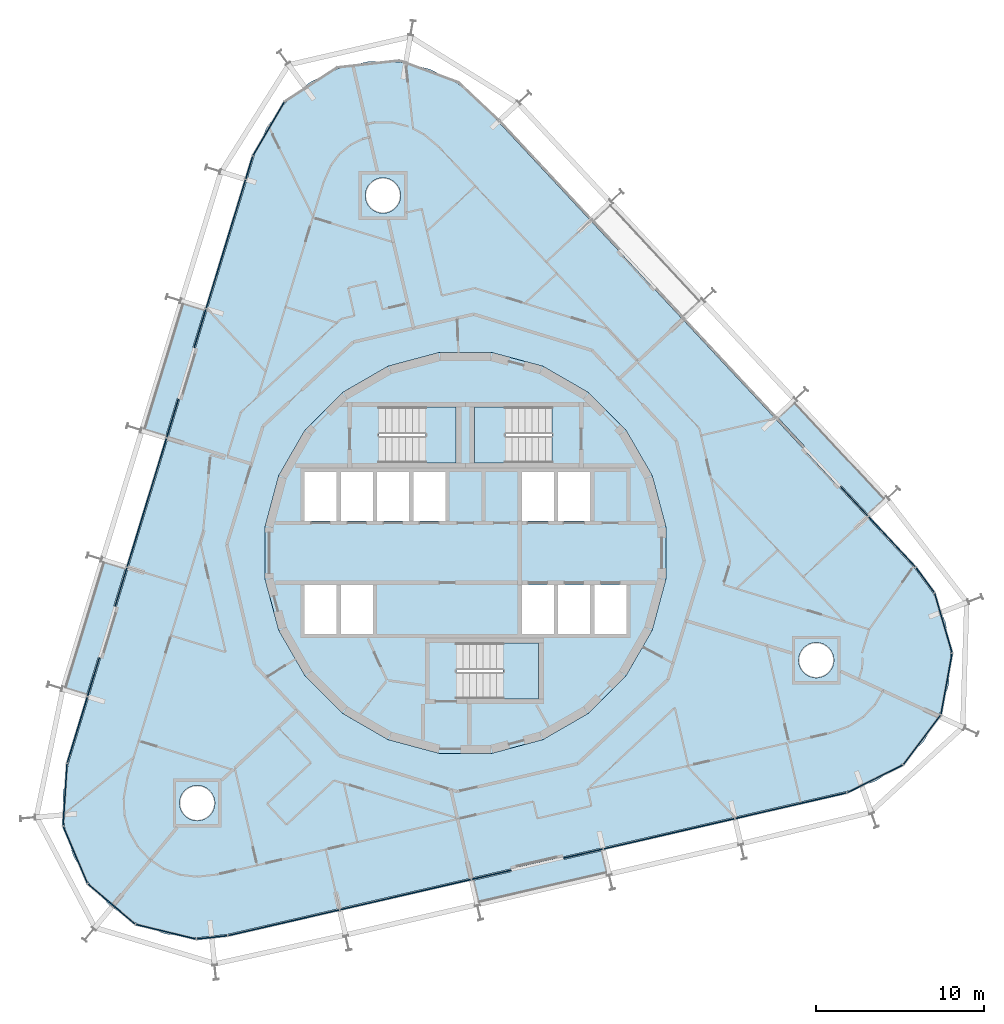
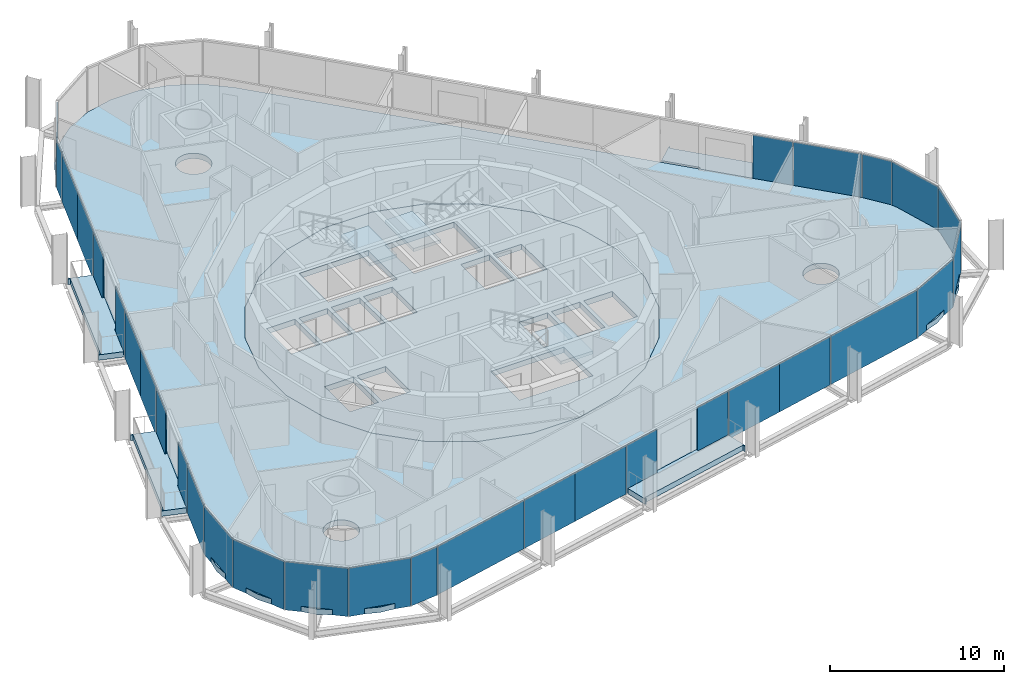
# One storey, part 10 of 18: 31 plates, 9 slabs, 9 elements without a shape of their own.
"""IFC4 building model written with IfcOpenShell, lengths in metres."""

from ifc_helpers import new_model, si_unit, direction, frame, origin, origin_2d, place, context, subcontext, project, spatial, polyline, rectangle, outline, extrude, material, layer, layer_set, type_object, element, aggregate, save


model = new_model("IFC4")

# Units and contexts
model_context = context("Model", 3, precision=1e-05, world=origin(), true_north=direction((0.0, 1.0)))
body_context = subcontext(model_context, "Body", "Model", "MODEL_VIEW")
ifc_project = project(units=[si_unit("LENGTHUNIT", "METRE"), si_unit("AREAUNIT", "SQUARE_METRE"), si_unit("VOLUMEUNIT", "CUBIC_METRE"), si_unit("PLANEANGLEUNIT", "RADIAN"), si_unit("MASSUNIT", "GRAM", prefix="KILO")], contexts=[model_context])

# Site, building, storey
site_placement = place(None, origin())
site = spatial("IfcSite", under=ifc_project, at=site_placement, CompositionType="ELEMENT")
building_placement = place(site_placement, origin())
building = spatial("IfcBuilding", under=site, at=building_placement, Name="Spindle Arch Residences", CompositionType="ELEMENT")
storey_placement = place(building_placement, frame((0.0, 0.0, 137.89990234375)))
storey = spatial("IfcBuildingStorey", under=building, at=storey_placement, Name="L34", CompositionType="ELEMENT", Elevation=137.89990234375)

# Slabs
ifc_material_1 = material(Name="Concrete C40/50", Category="concrete")
ifc_layer_1 = layer(ifc_material_1, 0.3798828125)
ifc_layer_set_1 = layer_set([ifc_layer_1], Name="Balcony slab 380")
slab_type_1 = type_object("IfcSlabType", Name="Balcony slab 380", PredefinedType="FLOOR", material=ifc_layer_set_1)
slab_1_placement = place(storey_placement, frame((0.0, 0.0, -0.3798828125)))
element("IfcSlab", 1, at=slab_1_placement, inside=storey, type_object=slab_type_1, Name="Balcony L34 bay 6", PredefinedType="FLOOR", context=body_context, shape_type="SweptSolid", body=[
    extrude(outline(polyline([(25.0107421875, 3.298095703125), (24.95947265625, 3.35302734375), (24.849853515625, 3.250732421875), (19.57861328125, 8.9033203125), (19.688232421875, 9.005615234375), (19.636962890625, 9.060546875), (18.54736328125, 8.04443359375), (20.142822265625, 6.333251953125), (20.02587890625, 6.22412109375), (22.208251953125, 3.8837890625), (22.325439453125, 3.992919921875), (23.9208984375, 2.281982421875), (25.0107421875, 3.298095703125)])), origin(), (0.0, 0.0, 1.0), 0.3798828125),
])
slab_2_placement = place(storey_placement, frame((0.0, 0.0, -0.3798828125)))
element("IfcSlab", 2, at=slab_2_placement, inside=storey, type_object=slab_type_1, Name="Balcony L34 bay 14", PredefinedType="FLOOR", context=body_context, shape_type="SweptSolid", body=[
    extrude(outline(polyline([(-16.926513671875, 14.891845703125), (-16.948486328125, 14.820068359375), (-16.804931640625, 14.7763671875), (-19.064697265625, 7.385009765625), (-19.208251953125, 7.4287109375), (-19.230224609375, 7.35693359375), (-17.80517578125, 6.92138671875), (-17.121337890625, 9.15869140625), (-16.96826171875, 9.112060546875), (-16.03271484375, 12.172119140625), (-16.185791015625, 12.218994140625), (-15.501708984375, 14.456298828125), (-16.926513671875, 14.891845703125)])), origin(), (0.0, 0.0, 1.0), 0.3798828125),
])
slab_3_placement = place(storey_placement, frame((0.0, 0.0, -0.3798828125)))
element("IfcSlab", 3, at=slab_3_placement, inside=storey, type_object=slab_type_1, Name="Balcony L34 bay 16", PredefinedType="FLOOR", context=body_context, shape_type="SweptSolid", body=[
    extrude(outline(polyline([(-21.62158203125, -0.46484375), (-21.6435546875, -0.536376953125), (-21.5, -0.580322265625), (-23.759765625, -7.9716796875), (-23.9033203125, -7.927978515625), (-23.92529296875, -7.999755859375), (-22.500244140625, -8.435302734375), (-21.816162109375, -6.197998046875), (-21.663330078125, -6.24462890625), (-20.727783203125, -3.1845703125), (-20.880615234375, -3.1376953125), (-20.196533203125, -0.900390625), (-21.62158203125, -0.46484375)])), origin(), (0.0, 0.0, 1.0), 0.3798828125),
])
slab_4_placement = place(storey_placement, frame((0.0, 0.0, -0.3798828125)))
element("IfcSlab", 4, at=slab_4_placement, inside=storey, type_object=slab_type_1, Name="Balcony L34 bay 22", PredefinedType="FLOOR", context=body_context, shape_type="SweptSolid", body=[
    extrude(outline(polyline([(0.781982421875, -20.900634765625), (0.855224609375, -20.8837890625), (0.821533203125, -20.737548828125), (8.3525390625, -18.9990234375), (8.38623046875, -19.14501953125), (8.459228515625, -19.128173828125), (8.1240234375, -17.676513671875), (5.844482421875, -18.20263671875), (5.80859375, -18.046875), (2.6904296875, -18.7666015625), (2.7265625, -18.922607421875), (0.447021484375, -19.44873046875), (0.781982421875, -20.900634765625)])), origin(), (0.0, 0.0, 1.0), 0.3798828125),
])
ifc_material_2 = material(Name="Concrete C50/60", Category="concrete")
ifc_layer_2 = layer(ifc_material_2, 0.3798828125)
ifc_layer_set_2 = layer_set([ifc_layer_2], Name="Core floor slab 380")
slab_type_2 = type_object("IfcSlabType", Name="Core floor slab 380", PredefinedType="FLOOR", material=ifc_layer_set_2)
slab_5_placement = place(storey_placement, frame((0.0, 0.0, -0.3798828125)))
element("IfcSlab", 5, at=slab_5_placement, inside=storey, type_object=slab_type_2, Name="Core floor L34", PredefinedType="FLOOR", context=body_context, shape_type="SweptSolid", body=[
    extrude(outline(polyline([(1.56640625, -11.897216796875), (4.59228515625, -11.086669921875), (7.30517578125, -9.520263671875), (9.520263671875, -7.30517578125), (11.086669921875, -4.59228515625), (11.897216796875, -1.56640625), (11.897216796875, 1.56640625), (11.086669921875, 4.59228515625), (9.520263671875, 7.30517578125), (7.30517578125, 9.520263671875), (4.59228515625, 11.086669921875), (1.56640625, 11.897216796875), (-1.56640625, 11.897216796875), (-4.59228515625, 11.086669921875), (-7.30517578125, 9.520263671875), (-9.520263671875, 7.30517578125), (-11.086669921875, 4.59228515625), (-11.897216796875, 1.56640625), (-11.897216796875, -1.56640625), (-11.086669921875, -4.59228515625), (-9.520263671875, -7.30517578125), (-7.30517578125, -9.520263671875), (-4.59228515625, -11.086669921875), (-1.56640625, -11.897216796875), (1.56640625, -11.897216796875)]), holes=[polyline([(-9.550048828125, 1.89990234375), (-7.64990234375, 1.89990234375), (-7.64990234375, 4.800048828125), (-9.550048828125, 4.800048828125), (-9.550048828125, 1.89990234375)]), polyline([(-7.39990234375, 1.89990234375), (-5.5, 1.89990234375), (-5.5, 4.800048828125), (-7.39990234375, 4.800048828125), (-7.39990234375, 1.89990234375)]), polyline([(-5.25, 1.89990234375), (-3.35009765625, 1.89990234375), (-3.35009765625, 4.800048828125), (-5.25, 4.800048828125), (-5.25, 1.89990234375)]), polyline([(-3.10009765625, 1.89990234375), (-1.199951171875, 1.89990234375), (-1.199951171875, 4.800048828125), (-3.10009765625, 4.800048828125), (-3.10009765625, 1.89990234375)]), polyline([(3.35009765625, 1.89990234375), (5.25, 1.89990234375), (5.25, 4.800048828125), (3.35009765625, 4.800048828125), (3.35009765625, 1.89990234375)]), polyline([(5.5, 1.89990234375), (7.39990234375, 1.89990234375), (7.39990234375, 4.800048828125), (5.5, 4.800048828125), (5.5, 1.89990234375)]), polyline([(-9.550048828125, -4.800048828125), (-7.64990234375, -4.800048828125), (-7.64990234375, -1.89990234375), (-9.550048828125, -1.89990234375), (-9.550048828125, -4.800048828125)]), polyline([(-7.39990234375, -4.800048828125), (-5.5, -4.800048828125), (-5.5, -1.89990234375), (-7.39990234375, -1.89990234375), (-7.39990234375, -4.800048828125)]), polyline([(3.35009765625, -4.800048828125), (5.25, -4.800048828125), (5.25, -1.89990234375), (3.35009765625, -1.89990234375), (3.35009765625, -4.800048828125)]), polyline([(5.5, -4.800048828125), (7.39990234375, -4.800048828125), (7.39990234375, -1.89990234375), (5.5, -1.89990234375), (5.5, -4.800048828125)]), polyline([(7.64990234375, -4.800048828125), (9.550048828125, -4.800048828125), (9.550048828125, -1.89990234375), (7.64990234375, -1.89990234375), (7.64990234375, -4.800048828125)]), polyline([(5.1298828125, 8.669921875), (0.550048828125, 8.669921875), (0.550048828125, 5.35009765625), (5.1298828125, 5.35009765625), (5.1298828125, 8.669921875)]), polyline([(-5.1298828125, 5.35009765625), (-0.550048828125, 5.35009765625), (-0.550048828125, 8.669921875), (-5.1298828125, 8.669921875), (-5.1298828125, 5.35009765625)]), polyline([(-0.530029296875, -8.669921875), (4.35009765625, -8.669921875), (4.35009765625, -5.35009765625), (-0.530029296875, -5.35009765625), (-0.530029296875, -8.669921875)])]), origin(), (0.0, 0.0, 1.0), 0.3798828125),
])

# Stair, slab
ifc_material_3 = material(Name="Concrete C50/60", Category="concrete")
stair_type = type_object("IfcStairType", Name="Exit stair 16 risers", PredefinedType="HALF_TURN_STAIR", material=ifc_material_3)
stair_1_placement = place(storey_placement, origin())
stair_1 = element("IfcStair", 6, at=stair_1_placement, inside=storey, type_object=stair_type, Name="L34 Exit stair ST1", PredefinedType="HALF_TURN_STAIR")
ifc_material_4 = material(Name="Concrete C50/60", Category="concrete")
ifc_layer_3 = layer(ifc_material_4, 0.219970703125)
ifc_layer_set_3 = layer_set([ifc_layer_3], Name="Exit stair landing 220")
slab_type_3 = type_object("IfcSlabType", Name="Exit stair landing 220", PredefinedType="LANDING", material=ifc_layer_set_3)
slab_6_placement = place(storey_placement, frame((0.0, 0.0, 1.530029296875)))
slab_6 = element("IfcSlab", 7, at=slab_6_placement, type_object=slab_type_3, Name="ST1 landing 1", PredefinedType="LANDING", context=body_context, shape_type="SweptSolid", body=[
    extrude(outline(polyline([(2.3701171875, 8.669921875), (0.550048828125, 8.669921875), (0.550048828125, 5.35009765625), (2.3701171875, 5.35009765625), (2.3701171875, 8.669921875)])), origin(), (0.0, 0.0, 1.0), 0.219970703125),
])
aggregate(stair_1, [slab_6])

stair_2_placement = place(storey_placement, origin())
stair_2 = element("IfcStair", 8, at=stair_2_placement, inside=storey, type_object=stair_type, Name="L34 Exit stair ST2", PredefinedType="HALF_TURN_STAIR")
slab_7_placement = place(storey_placement, frame((0.0, 0.0, 1.530029296875)))
slab_7 = element("IfcSlab", 9, at=slab_7_placement, type_object=slab_type_3, Name="ST2 landing 1", PredefinedType="LANDING", context=body_context, shape_type="SweptSolid", body=[
    extrude(outline(polyline([(-2.3701171875, 5.35009765625), (-0.550048828125, 5.35009765625), (-0.550048828125, 8.669921875), (-2.3701171875, 8.669921875), (-2.3701171875, 5.35009765625)])), origin(), (0.0, 0.0, 1.0), 0.219970703125),
])
aggregate(stair_2, [slab_7])

stair_3_placement = place(storey_placement, origin())
stair_3 = element("IfcStair", 10, at=stair_3_placement, inside=storey, type_object=stair_type, Name="L34 Exit stair ST3", PredefinedType="HALF_TURN_STAIR")
slab_8_placement = place(storey_placement, frame((0.0, 0.0, 1.530029296875)))
slab_8 = element("IfcSlab", 11, at=slab_8_placement, type_object=slab_type_3, Name="ST3 landing 1", PredefinedType="LANDING", context=body_context, shape_type="SweptSolid", body=[
    extrude(outline(polyline([(2.22998046875, -8.669921875), (4.35009765625, -8.669921875), (4.35009765625, -5.35009765625), (2.22998046875, -5.35009765625), (2.22998046875, -8.669921875)])), origin(), (0.0, 0.0, 1.0), 0.219970703125),
])
aggregate(stair_3, [slab_8])

# Slab
ifc_material_5 = material(Name="Concrete C40/50", Category="concrete")
ifc_layer_4 = layer(ifc_material_5, 0.3798828125)
ifc_layer_set_4 = layer_set([ifc_layer_4], Name="Floor slab 380")
slab_type_4 = type_object("IfcSlabType", Name="Floor slab 380", PredefinedType="FLOOR", material=ifc_layer_set_4)
slab_9_placement = place(storey_placement, frame((0.0, 0.0, -0.3798828125)))
element("IfcSlab", 12, at=slab_9_placement, inside=storey, type_object=slab_type_4, Name="Floor slab L34", PredefinedType="FLOOR", context=body_context, shape_type="SweptSolid", body=[
    extrude(outline(polyline([(-15.976806640625, -22.85498046875), (-17.8203125, -22.628662109375), (-19.56201171875, -21.983154296875), (-21.108154296875, -20.95361328125), (-22.375, -19.594970703125), (-23.294189453125, -17.98095703125), (-23.816650390625, -16.198486328125), (-23.913818359375, -14.343505859375), (-23.58056640625, -12.51611328125), (-12.55029296875, 23.5625), (-11.8046875, 25.263916015625), (-10.686767578125, 26.747314453125), (-9.257080078125, 27.932861328125), (-7.59228515625, 28.7568359375), (-5.7822265625, 29.1748046875), (-3.9248046875, 29.163818359375), (-2.1201171875, 28.72509765625), (-0.465087890625, 27.881591796875), (0.950927734375, 26.679443359375), (26.680908203125, -0.912353515625), (27.781494140625, -2.40869140625), (28.507080078125, -4.11865234375), (28.819091796875, -5.94970703125), (28.7001953125, -7.803466796875), (28.1572265625, -9.57958984375), (27.218994140625, -11.182861328125), (25.9365234375, -12.526611328125), (24.37890625, -13.5380859375), (22.629638671875, -14.163330078125), (4.24951171875, -18.40673828125), (-14.130615234375, -22.650146484375), (-15.976806640625, -22.85498046875)]), holes=[polyline([(7.30517578125, -9.520263671875), (9.520263671875, -7.30517578125), (11.086669921875, -4.59228515625), (11.897216796875, -1.56640625), (11.897216796875, 1.56640625), (11.086669921875, 4.59228515625), (9.520263671875, 7.30517578125), (7.30517578125, 9.520263671875), (4.59228515625, 11.086669921875), (1.56640625, 11.897216796875), (-1.56640625, 11.897216796875), (-4.59228515625, 11.086669921875), (-7.30517578125, 9.520263671875), (-9.520263671875, 7.30517578125), (-11.086669921875, 4.59228515625), (-11.897216796875, 1.56640625), (-11.897216796875, -1.56640625), (-11.086669921875, -4.59228515625), (-9.520263671875, -7.30517578125), (-7.30517578125, -9.520263671875), (-4.59228515625, -11.086669921875), (-1.56640625, -11.897216796875), (1.56640625, -11.897216796875), (4.59228515625, -11.086669921875), (7.30517578125, -9.520263671875)]), polyline([(-15.187744140625, -15.59765625), (-15.05712890625, -15.4384765625), (-14.960205078125, -15.257080078125), (-14.900390625, -15.06005859375), (-14.880126953125, -14.855224609375), (-14.900390625, -14.650390625), (-14.960205078125, -14.453369140625), (-15.05712890625, -14.27197265625), (-15.187744140625, -14.11279296875), (-15.346923828125, -13.982177734375), (-15.5283203125, -13.885009765625), (-15.725341796875, -13.825439453125), (-15.93017578125, -13.80517578125), (-16.135009765625, -13.825439453125), (-16.33203125, -13.885009765625), (-16.513427734375, -13.982177734375), (-16.672607421875, -14.11279296875), (-16.80322265625, -14.27197265625), (-16.900390625, -14.453369140625), (-16.9599609375, -14.650390625), (-16.980224609375, -14.855224609375), (-16.9599609375, -15.06005859375), (-16.900390625, -15.257080078125), (-16.80322265625, -15.4384765625), (-16.672607421875, -15.59765625), (-16.513427734375, -15.728271484375), (-16.33203125, -15.8251953125), (-16.135009765625, -15.885009765625), (-15.93017578125, -15.9052734375), (-15.725341796875, -15.885009765625), (-15.5283203125, -15.8251953125), (-15.346923828125, -15.728271484375), (-15.187744140625, -15.59765625)]), polyline([(-4.02685546875, 20.64013671875), (-3.9296875, 20.82177734375), (-3.8701171875, 21.018798828125), (-3.849853515625, 21.223388671875), (-3.8701171875, 21.42822265625), (-3.9296875, 21.625244140625), (-4.02685546875, 21.806884765625), (-4.1572265625, 21.966064453125), (-4.31640625, 22.096435546875), (-4.498046875, 22.193603515625), (-4.695068359375, 22.25341796875), (-4.89990234375, 22.2734375), (-5.1044921875, 22.25341796875), (-5.301513671875, 22.193603515625), (-5.483154296875, 22.096435546875), (-5.642333984375, 21.966064453125), (-5.772705078125, 21.806884765625), (-5.869873046875, 21.625244140625), (-5.9296875, 21.42822265625), (-5.94970703125, 21.223388671875), (-5.9296875, 21.018798828125), (-5.869873046875, 20.82177734375), (-5.772705078125, 20.64013671875), (-5.642333984375, 20.48095703125), (-5.483154296875, 20.3505859375), (-5.301513671875, 20.25341796875), (-5.1044921875, 20.193603515625), (-4.89990234375, 20.173583984375), (-4.695068359375, 20.193603515625), (-4.498046875, 20.25341796875), (-4.31640625, 20.3505859375), (-4.1572265625, 20.48095703125), (-4.02685546875, 20.64013671875)]), polyline([(21.702880859375, -6.95166015625), (21.800048828125, -6.770263671875), (21.85986328125, -6.5732421875), (21.8798828125, -6.368408203125), (21.85986328125, -6.16357421875), (21.800048828125, -5.966552734375), (21.702880859375, -5.78515625), (21.572509765625, -5.6259765625), (21.413330078125, -5.495361328125), (21.231689453125, -5.398193359375), (21.034912109375, -5.338623046875), (20.830078125, -5.318359375), (20.625244140625, -5.338623046875), (20.42822265625, -5.398193359375), (20.24658203125, -5.495361328125), (20.08740234375, -5.6259765625), (19.95703125, -5.78515625), (19.85986328125, -5.966552734375), (19.80029296875, -6.16357421875), (19.780029296875, -6.368408203125), (19.80029296875, -6.5732421875), (19.85986328125, -6.770263671875), (19.95703125, -6.95166015625), (20.08740234375, -7.11083984375), (20.24658203125, -7.241455078125), (20.42822265625, -7.33837890625), (20.625244140625, -7.398193359375), (20.830078125, -7.41845703125), (21.034912109375, -7.398193359375), (21.231689453125, -7.33837890625), (21.413330078125, -7.241455078125), (21.572509765625, -7.11083984375), (21.702880859375, -6.95166015625)])]), origin(), (0.0, 0.0, 1.0), 0.3798828125),
])

# Curtain wall, plates
ifc_material_6 = material(Name="Aluminium bronze unitised frame with tinted glass", Category="aluminium")
ifc_layer_5 = layer(ifc_material_6, 0.159912109375)
ifc_layer_set_5 = layer_set([ifc_layer_5], Name="CW-D corner wall on the fillet arcs")
curtain_wall_type_1 = type_object("IfcCurtainWallType", Name="CW-D corner wall on the fillet arcs", PredefinedType="NOTDEFINED", material=ifc_layer_set_5)
curtain_wall_1_placement = place(storey_placement, origin())
curtain_wall_1 = element("IfcCurtainWall", 13, at=curtain_wall_1_placement, inside=storey, type_object=curtain_wall_type_1, Name="CW-D L34 run 1", PredefinedType="NOTDEFINED")
ifc_material_7 = material(Name="Tinted double glazing over aluminium faced non-combustible spandrel zone (K0)", Category="aluminium")
ifc_layer_6 = layer(ifc_material_7, 0.06005859375)
ifc_layer_set_6 = layer_set([ifc_layer_6], Name="Unitised glass panel with E 60 spandrel zone")
plate_type = type_object("IfcPlateType", Name="Unitised glass panel with E 60 spandrel zone", PredefinedType="CURTAIN_PANEL", material=ifc_layer_set_6)
plate_1_placement = place(storey_placement, frame((19.3251953125, -15.00830078125, -0.3798828125), z_axis=(0.0, 0.0, 1.0), x_axis=(0.974370064785, 0.224951054344, 0.0)))
plate_1 = element("IfcPlate", 14, at=plate_1_placement, type_object=plate_type, Name="CW-D unit 00", PredefinedType="CURTAIN_PANEL", context=body_context, shape_type="SweptSolid", body=[
    extrude(rectangle(XDim=6.759765625, YDim=0.06005859375, at=origin_2d()), origin(), (0.0, 0.0, 1.0), 3.3798828125),
])
plate_2_placement = place(storey_placement, frame((24.317626953125, -13.414794921875, -0.3798828125), z_axis=(0.0, 0.0, 1.0), x_axis=(0.896228507614, 0.443592675931, 0.0)))
plate_2 = element("IfcPlate", 15, at=plate_2_placement, type_object=plate_type, Name="CW-D unit 01", PredefinedType="CURTAIN_PANEL", context=body_context, shape_type="SweptSolid", body=[
    extrude(rectangle(XDim=3.666748046875, YDim=0.06005859375, at=origin_2d()), origin(), (0.0, 0.0, 1.0), 3.3798828125),
])
plate_3_placement = place(storey_placement, frame((27.109130859375, -11.099853515625, -0.3798828125), z_axis=(0.0, 0.0, 1.0), x_axis=(0.601815021814, 0.798635511056, 0.0)))
plate_3 = element("IfcPlate", 16, at=plate_3_placement, type_object=plate_type, Name="CW-D unit 02", PredefinedType="CURTAIN_PANEL", context=body_context, shape_type="SweptSolid", body=[
    extrude(rectangle(XDim=3.666748046875, YDim=0.06005859375, at=origin_2d()), origin(), (0.0, 0.0, 1.0), 3.3798828125),
])
plate_4_placement = place(storey_placement, frame((28.564697265625, -7.778564453125, -0.3798828125), z_axis=(0.0, 0.0, 1.0), x_axis=(0.17937458782, 0.983780848179, 0.0)))
plate_4 = element("IfcPlate", 17, at=plate_4_placement, type_object=plate_type, Name="CW-D unit 03", PredefinedType="CURTAIN_PANEL", context=body_context, shape_type="SweptSolid", body=[
    extrude(rectangle(XDim=3.666748046875, YDim=0.06005859375, at=origin_2d()), origin(), (0.0, 0.0, 1.0), 3.3798828125),
])
plate_5_placement = place(storey_placement, frame((28.375, -4.1572265625, -0.3798828125), z_axis=(0.0, 0.0, 1.0), x_axis=(-0.281225052549, 0.959641844554, 0.0)))
plate_5 = element("IfcPlate", 18, at=plate_5_placement, type_object=plate_type, Name="CW-D unit 04", PredefinedType="CURTAIN_PANEL", context=body_context, shape_type="SweptSolid", body=[
    extrude(rectangle(XDim=3.666748046875, YDim=0.06005859375, at=origin_2d()), origin(), (0.0, 0.0, 1.0), 3.3798828125),
])
plate_6_placement = place(storey_placement, frame((27.295166015625, -1.613525390625, -0.3798828125), z_axis=(0.0, 0.0, 1.0), x_axis=(-0.592481951039, 0.805583724819, 0.0)))
plate_6 = element("IfcPlate", 19, at=plate_6_placement, type_object=plate_type, Name="CW-D unit 05", PredefinedType="CURTAIN_PANEL", context=body_context, shape_type="SweptSolid", body=[
    extrude(rectangle(XDim=1.816162109375, YDim=0.06005859375, at=origin_2d()), origin(), (0.0, 0.0, 1.0), 3.3798828125),
])
plate_7_placement = place(storey_placement, frame((25.326416015625, 0.6572265625, -0.3798828125), z_axis=(0.0, 0.0, 1.0), x_axis=(-0.681998360062, 0.731353701619, 0.0)))
plate_7 = element("IfcPlate", 20, at=plate_7_placement, type_object=plate_type, Name="CW-D unit 06", PredefinedType="CURTAIN_PANEL", context=body_context, shape_type="SweptSolid", body=[
    extrude(rectangle(XDim=4.08349609375, YDim=0.06005859375, at=origin_2d()), origin(), (0.0, 0.0, 1.0), 3.3798828125),
])
aggregate(curtain_wall_1, [plate_1, plate_2, plate_3, plate_4, plate_5, plate_6, plate_7])

# Curtain wall, plate
ifc_material_8 = material(Name="Aluminium bronze unitised frame with tinted glass", Category="aluminium")
ifc_layer_7 = layer(ifc_material_8, 0.159912109375)
ifc_layer_set_7 = layer_set([ifc_layer_7], Name="CW-C typical residential unitised wall")
curtain_wall_type_2 = type_object("IfcCurtainWallType", Name="CW-C typical residential unitised wall", PredefinedType="NOTDEFINED", material=ifc_layer_set_7)
curtain_wall_2_placement = place(storey_placement, origin())
curtain_wall_2 = element("IfcCurtainWall", 21, at=curtain_wall_2_placement, inside=storey, type_object=curtain_wall_type_2, Name="CW-C L34 run 2", PredefinedType="NOTDEFINED")
plate_8_placement = place(storey_placement, frame((23.079833984375, 3.06640625, -0.3798828125), z_axis=(0.0, 0.0, 1.0), x_axis=(-0.681998360062, 0.731353701619, 0.0)))
plate_8 = element("IfcPlate", 22, at=plate_8_placement, type_object=plate_type, Name="CW-C unit 05L", PredefinedType="CURTAIN_PANEL", context=body_context, shape_type="SweptSolid", body=[
    extrude(rectangle(XDim=2.384521484375, YDim=0.06005859375, at=origin_2d()), origin(), (0.0, 0.0, 1.0), 3.3798828125),
])
aggregate(curtain_wall_2, [plate_8])

# Curtain wall, plates
curtain_wall_3_placement = place(storey_placement, origin())
curtain_wall_3 = element("IfcCurtainWall", 23, at=curtain_wall_3_placement, inside=storey, type_object=curtain_wall_type_1, Name="CW-D L34 run 3", PredefinedType="NOTDEFINED")
plate_9_placement = place(storey_placement, frame((-11.685791015625, 25.194091796875, -0.3798828125), z_axis=(0.0, 0.0, 1.0), x_axis=(-0.505029844161, -0.863101880723, 0.0)))
plate_9 = element("IfcPlate", 24, at=plate_9_placement, type_object=plate_type, Name="CW-D unit 04", PredefinedType="CURTAIN_PANEL", context=body_context, shape_type="SweptSolid", body=[
    extrude(rectangle(XDim=3.666748046875, YDim=0.06005859375, at=origin_2d()), origin(), (0.0, 0.0, 1.0), 3.3798828125),
])
plate_10_placement = place(storey_placement, frame((-12.84130859375, 22.884521484375, -0.3798828125), z_axis=(0.0, 0.0, 1.0), x_axis=(-0.292371704723, -0.956304755963, 0.0)))
plate_10 = element("IfcPlate", 25, at=plate_10_placement, type_object=plate_type, Name="CW-D unit 05", PredefinedType="CURTAIN_PANEL", context=body_context, shape_type="SweptSolid", body=[
    extrude(rectangle(XDim=1.406982421875, YDim=0.06005859375, at=origin_2d()), origin(), (0.0, 0.0, 1.0), 3.3798828125),
])
aggregate(curtain_wall_3, [plate_9, plate_10])

curtain_wall_4_placement = place(storey_placement, origin())
curtain_wall_4 = element("IfcCurtainWall", 26, at=curtain_wall_4_placement, inside=storey, type_object=curtain_wall_type_2, Name="CW-C L34 run 4", PredefinedType="NOTDEFINED")
plate_11_placement = place(storey_placement, frame((-13.64697265625, 20.2490234375, -0.3798828125), z_axis=(0.0, 0.0, 1.0), x_axis=(-0.292371704723, -0.956304755963, 0.0)))
plate_11 = element("IfcPlate", 27, at=plate_11_placement, type_object=plate_type, Name="CW-C unit 12A", PredefinedType="CURTAIN_PANEL", context=body_context, shape_type="SweptSolid", body=[
    extrude(rectangle(XDim=3.984619140625, YDim=0.06005859375, at=origin_2d()), origin(), (0.0, 0.0, 1.0), 3.3798828125),
])
plate_12_placement = place(storey_placement, frame((-14.81201171875, 16.4384765625, -0.3798828125), z_axis=(0.0, 0.0, 1.0), x_axis=(-0.292371704723, -0.956304755963, 0.0)))
plate_12 = element("IfcPlate", 28, at=plate_12_placement, type_object=plate_type, Name="CW-C unit 12B", PredefinedType="CURTAIN_PANEL", context=body_context, shape_type="SweptSolid", body=[
    extrude(rectangle(XDim=3.984619140625, YDim=0.06005859375, at=origin_2d()), origin(), (0.0, 0.0, 1.0), 3.3798828125),
])
plate_13_placement = place(storey_placement, frame((-15.760498046875, 13.335693359375, -0.3798828125), z_axis=(0.0, 0.0, 1.0), x_axis=(-0.292371704723, -0.956304755963, 0.0)))
plate_13 = element("IfcPlate", 29, at=plate_13_placement, type_object=plate_type, Name="CW-C unit 13L", PredefinedType="CURTAIN_PANEL", context=body_context, shape_type="SweptSolid", body=[
    extrude(rectangle(XDim=2.384521484375, YDim=0.06005859375, at=origin_2d()), origin(), (0.0, 0.0, 1.0), 3.3798828125),
])
plate_14_placement = place(storey_placement, frame((-17.393310546875, 7.9951171875, -0.3798828125), z_axis=(0.0, 0.0, 1.0), x_axis=(-0.292371704723, -0.956304755963, 0.0)))
plate_14 = element("IfcPlate", 30, at=plate_14_placement, type_object=plate_type, Name="CW-C unit 13R", PredefinedType="CURTAIN_PANEL", context=body_context, shape_type="SweptSolid", body=[
    extrude(rectangle(XDim=2.384521484375, YDim=0.06005859375, at=origin_2d()), origin(), (0.0, 0.0, 1.0), 3.3798828125),
])
plate_15_placement = place(storey_placement, frame((-18.342041015625, 4.892333984375, -0.3798828125), z_axis=(0.0, 0.0, 1.0), x_axis=(-0.292371704723, -0.956304755963, 0.0)))
plate_15 = element("IfcPlate", 31, at=plate_15_placement, type_object=plate_type, Name="CW-C unit 14A", PredefinedType="CURTAIN_PANEL", context=body_context, shape_type="SweptSolid", body=[
    extrude(rectangle(XDim=3.984619140625, YDim=0.06005859375, at=origin_2d()), origin(), (0.0, 0.0, 1.0), 3.3798828125),
])
plate_16_placement = place(storey_placement, frame((-19.5068359375, 1.081787109375, -0.3798828125), z_axis=(0.0, 0.0, 1.0), x_axis=(-0.292371704723, -0.956304755963, 0.0)))
plate_16 = element("IfcPlate", 32, at=plate_16_placement, type_object=plate_type, Name="CW-C unit 14B", PredefinedType="CURTAIN_PANEL", context=body_context, shape_type="SweptSolid", body=[
    extrude(rectangle(XDim=3.984619140625, YDim=0.06005859375, at=origin_2d()), origin(), (0.0, 0.0, 1.0), 3.3798828125),
])
plate_17_placement = place(storey_placement, frame((-20.45556640625, -2.02099609375, -0.3798828125), z_axis=(0.0, 0.0, 1.0), x_axis=(-0.292371704723, -0.956304755963, 0.0)))
plate_17 = element("IfcPlate", 33, at=plate_17_placement, type_object=plate_type, Name="CW-C unit 15L", PredefinedType="CURTAIN_PANEL", context=body_context, shape_type="SweptSolid", body=[
    extrude(rectangle(XDim=2.384521484375, YDim=0.06005859375, at=origin_2d()), origin(), (0.0, 0.0, 1.0), 3.3798828125),
])
plate_18_placement = place(storey_placement, frame((-22.08837890625, -7.361572265625, -0.3798828125), z_axis=(0.0, 0.0, 1.0), x_axis=(-0.292371704723, -0.956304755963, 0.0)))
plate_18 = element("IfcPlate", 34, at=plate_18_placement, type_object=plate_type, Name="CW-C unit 15R", PredefinedType="CURTAIN_PANEL", context=body_context, shape_type="SweptSolid", body=[
    extrude(rectangle(XDim=2.384521484375, YDim=0.06005859375, at=origin_2d()), origin(), (0.0, 0.0, 1.0), 3.3798828125),
])
aggregate(curtain_wall_4, [plate_11, plate_12, plate_13, plate_14, plate_15, plate_16, plate_17, plate_18])

curtain_wall_5_placement = place(storey_placement, origin())
curtain_wall_5 = element("IfcCurtainWall", 35, at=curtain_wall_5_placement, inside=storey, type_object=curtain_wall_type_1, Name="CW-D L34 run 5", PredefinedType="NOTDEFINED")
plate_19_placement = place(storey_placement, frame((-23.051513671875, -10.511474609375, -0.3798828125), z_axis=(0.0, 0.0, 1.0), x_axis=(-0.292371704723, -0.956304755963, 0.0)))
plate_19 = element("IfcPlate", 36, at=plate_19_placement, type_object=plate_type, Name="CW-D unit 00", PredefinedType="CURTAIN_PANEL", context=body_context, shape_type="SweptSolid", body=[
    extrude(rectangle(XDim=4.08349609375, YDim=0.06005859375, at=origin_2d()), origin(), (0.0, 0.0, 1.0), 3.3798828125),
])
plate_20_placement = place(storey_placement, frame((-23.7763671875, -14.352294921875, -0.3798828125), z_axis=(0.0, 0.0, 1.0), x_axis=(-0.063951729226, -0.997952993046, 0.0)))
plate_20 = element("IfcPlate", 37, at=plate_20_placement, type_object=plate_type, Name="CW-D unit 01", PredefinedType="CURTAIN_PANEL", context=body_context, shape_type="SweptSolid", body=[
    extrude(rectangle(XDim=3.666748046875, YDim=0.06005859375, at=origin_2d()), origin(), (0.0, 0.0, 1.0), 3.3798828125),
])
plate_21_placement = place(storey_placement, frame((-23.16748046875, -17.92724609375, -0.3798828125), z_axis=(0.0, 0.0, 1.0), x_axis=(0.390731127124, -0.920504854032, 0.0)))
plate_21 = element("IfcPlate", 38, at=plate_21_placement, type_object=plate_type, Name="CW-D unit 02", PredefinedType="CURTAIN_PANEL", context=body_context, shape_type="SweptSolid", body=[
    extrude(rectangle(XDim=3.666748046875, YDim=0.06005859375, at=origin_2d()), origin(), (0.0, 0.0, 1.0), 3.3798828125),
])
plate_22_placement = place(storey_placement, frame((-21.018798828125, -20.848388671875, -0.3798828125), z_axis=(0.0, 0.0, 1.0), x_axis=(0.762291912042, -0.647233374321, 0.0)))
plate_22 = element("IfcPlate", 39, at=plate_22_placement, type_object=plate_type, Name="CW-D unit 03", PredefinedType="CURTAIN_PANEL", context=body_context, shape_type="SweptSolid", body=[
    extrude(rectangle(XDim=3.666748046875, YDim=0.06005859375, at=origin_2d()), origin(), (0.0, 0.0, 1.0), 3.3798828125),
])
plate_23_placement = place(storey_placement, frame((-17.787841796875, -22.49462890625, -0.3798828125), z_axis=(0.0, 0.0, 1.0), x_axis=(0.971686742139, -0.23627288281, 0.0)))
plate_23 = element("IfcPlate", 40, at=plate_23_placement, type_object=plate_type, Name="CW-D unit 04", PredefinedType="CURTAIN_PANEL", context=body_context, shape_type="SweptSolid", body=[
    extrude(rectangle(XDim=3.666748046875, YDim=0.06005859375, at=origin_2d()), origin(), (0.0, 0.0, 1.0), 3.3798828125),
])
plate_24_placement = place(storey_placement, frame((-15.044921875, -22.83154296875, -0.3798828125), z_axis=(0.0, 0.0, 1.0), x_axis=(0.993896946542, 0.110312554381, 0.0)))
plate_24 = element("IfcPlate", 41, at=plate_24_placement, type_object=plate_type, Name="CW-D unit 05", PredefinedType="CURTAIN_PANEL", context=body_context, shape_type="SweptSolid", body=[
    extrude(rectangle(XDim=1.816162109375, YDim=0.06005859375, at=origin_2d()), origin(), (0.0, 0.0, 1.0), 3.3798828125),
])
plate_25_placement = place(storey_placement, frame((-10.7900390625, -21.9609375, -0.3798828125), z_axis=(0.0, 0.0, 1.0), x_axis=(0.974370064785, 0.224951054344, 0.0)))
plate_25 = element("IfcPlate", 42, at=plate_25_placement, type_object=plate_type, Name="CW-D unit 06", PredefinedType="CURTAIN_PANEL", context=body_context, shape_type="SweptSolid", body=[
    extrude(rectangle(XDim=6.759765625, YDim=0.06005859375, at=origin_2d()), origin(), (0.0, 0.0, 1.0), 3.3798828125),
])
aggregate(curtain_wall_5, [plate_19, plate_20, plate_21, plate_22, plate_23, plate_24, plate_25])

curtain_wall_6_placement = place(storey_placement, origin())
curtain_wall_6 = element("IfcCurtainWall", 43, at=curtain_wall_6_placement, inside=storey, type_object=curtain_wall_type_2, Name="CW-C L34 run 6", PredefinedType="NOTDEFINED")
plate_26_placement = place(storey_placement, frame((-5.4970703125, -20.739013671875, -0.3798828125), z_axis=(0.0, 0.0, 1.0), x_axis=(0.974370064785, 0.224951054344, 0.0)))
plate_26 = element("IfcPlate", 44, at=plate_26_placement, type_object=plate_type, Name="CW-C unit 20A", PredefinedType="CURTAIN_PANEL", context=body_context, shape_type="SweptSolid", body=[
    extrude(rectangle(XDim=3.984619140625, YDim=0.06005859375, at=origin_2d()), origin(), (0.0, 0.0, 1.0), 3.3798828125),
])
plate_27_placement = place(storey_placement, frame((-1.61474609375, -19.8427734375, -0.3798828125), z_axis=(0.0, 0.0, 1.0), x_axis=(0.974370064785, 0.224951054344, 0.0)))
plate_27 = element("IfcPlate", 45, at=plate_27_placement, type_object=plate_type, Name="CW-C unit 20B", PredefinedType="CURTAIN_PANEL", context=body_context, shape_type="SweptSolid", body=[
    extrude(rectangle(XDim=3.984619140625, YDim=0.06005859375, at=origin_2d()), origin(), (0.0, 0.0, 1.0), 3.3798828125),
])
plate_28_placement = place(storey_placement, frame((1.546875, -19.11279296875, -0.3798828125), z_axis=(0.0, 0.0, 1.0), x_axis=(0.974370064785, 0.224951054344, 0.0)))
plate_28 = element("IfcPlate", 46, at=plate_28_placement, type_object=plate_type, Name="CW-C unit 21L", PredefinedType="CURTAIN_PANEL", context=body_context, shape_type="SweptSolid", body=[
    extrude(rectangle(XDim=2.384521484375, YDim=0.06005859375, at=origin_2d()), origin(), (0.0, 0.0, 1.0), 3.3798828125),
])
plate_29_placement = place(storey_placement, frame((6.98828125, -17.8564453125, -0.3798828125), z_axis=(0.0, 0.0, 1.0), x_axis=(0.974370064785, 0.224951054344, 0.0)))
plate_29 = element("IfcPlate", 47, at=plate_29_placement, type_object=plate_type, Name="CW-C unit 21R", PredefinedType="CURTAIN_PANEL", context=body_context, shape_type="SweptSolid", body=[
    extrude(rectangle(XDim=2.384521484375, YDim=0.06005859375, at=origin_2d()), origin(), (0.0, 0.0, 1.0), 3.3798828125),
])
plate_30_placement = place(storey_placement, frame((10.149658203125, -17.126708984375, -0.3798828125), z_axis=(0.0, 0.0, 1.0), x_axis=(0.974370064785, 0.224951054344, 0.0)))
plate_30 = element("IfcPlate", 48, at=plate_30_placement, type_object=plate_type, Name="CW-C unit 00A", PredefinedType="CURTAIN_PANEL", context=body_context, shape_type="SweptSolid", body=[
    extrude(rectangle(XDim=3.984619140625, YDim=0.06005859375, at=origin_2d()), origin(), (0.0, 0.0, 1.0), 3.3798828125),
])
plate_31_placement = place(storey_placement, frame((14.0322265625, -16.230224609375, -0.3798828125), z_axis=(0.0, 0.0, 1.0), x_axis=(0.974370064785, 0.224951054344, 0.0)))
plate_31 = element("IfcPlate", 49, at=plate_31_placement, type_object=plate_type, Name="CW-C unit 00B", PredefinedType="CURTAIN_PANEL", context=body_context, shape_type="SweptSolid", body=[
    extrude(rectangle(XDim=3.984619140625, YDim=0.06005859375, at=origin_2d()), origin(), (0.0, 0.0, 1.0), 3.3798828125),
])
aggregate(curtain_wall_6, [plate_26, plate_27, plate_28, plate_29, plate_30, plate_31])

save(model, "model.ifc")
